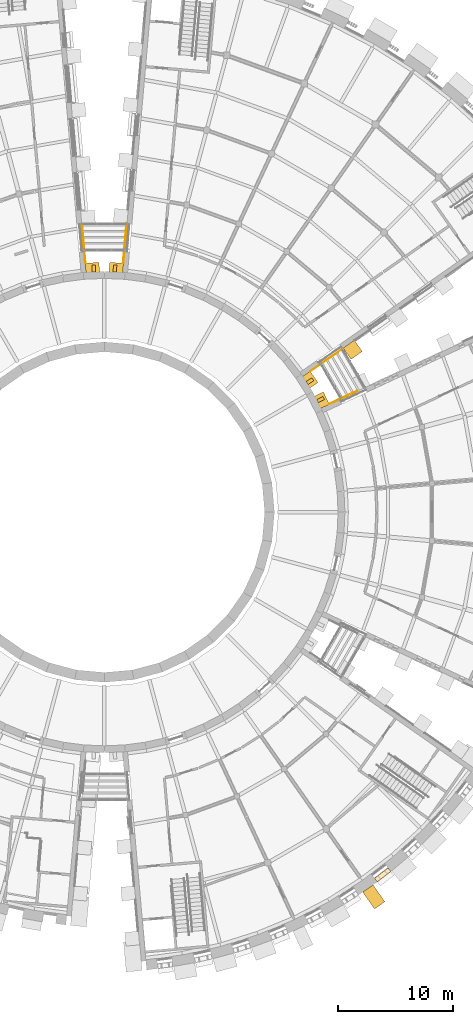
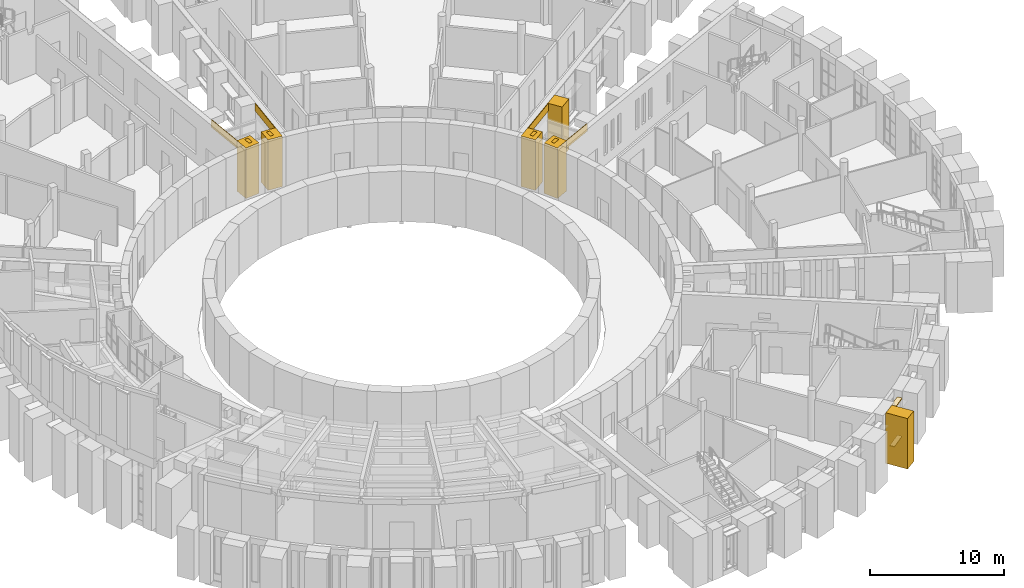
# One storey, part 57 of 66: 16 coverings.
"""IFC4 building model written with IfcOpenShell, lengths in metres."""

from ifc_helpers import new_model, si_unit, direction, frame, origin, origin_2d, place, context, subcontext, project, spatial, polyline, rectangle, outline, extrude, material, layer, layer_set, type_object, element, save


model = new_model("IFC4")

# Units and contexts
model_context = context("Model", 3, precision=1e-05, world=origin(), true_north=direction((0.0, 1.0)))
body_context = subcontext(model_context, "Body", "Model", "MODEL_VIEW")
ifc_project = project(units=[si_unit("LENGTHUNIT", "METRE"), si_unit("AREAUNIT", "SQUARE_METRE"), si_unit("VOLUMEUNIT", "CUBIC_METRE"), si_unit("PLANEANGLEUNIT", "RADIAN"), si_unit("MASSUNIT", "GRAM", prefix="KILO")], contexts=[model_context])

# Site, building, storey
site_placement = place(None, origin())
site = spatial("IfcSite", under=ifc_project, at=site_placement, CompositionType="ELEMENT")
building_placement = place(site_placement, origin())
building = spatial("IfcBuilding", under=site, at=building_placement, Name="Volute Hill Aquarium", CompositionType="ELEMENT")
storey_placement = place(building_placement, frame((0.0, 0.0, 4.60009765625)))
storey = spatial("IfcBuildingStorey", under=building, at=storey_placement, Name="L02", CompositionType="ELEMENT", Elevation=4.60009765625)

# Coverings
ifc_material_1 = material(Name="Precast pale concrete C40/50", Category="concrete")
covering_type_1 = type_object("IfcCoveringType", Name="Drum pier fin 300x600", PredefinedType="CLADDING", material=ifc_material_1)
for number, where, z_axis, x_axis, name in (
    (1, (18.8759765625, 9.826171875, -0.000244140625), (0.0, 0.0, 1.0), (-0.461748613235, 0.887010833178, 0.0), "Drum pier fin DF 6 L02"),
    (2, (17.947509765625, 11.433837890625, -0.000244140625), (0.0, 0.0, 1.0), (-0.537299608347, 0.843391445813, 0.0), "Drum pier fin DF 7 L02"),
    (3, (0.92822265625, 21.260009765625, -0.000244140625), (0.0, 0.0, 1.0), (-0.999048221582, 0.043619387365, 0.0), "Drum pier fin DF 18 L02"),
    (4, (-0.92822265625, 21.260009765625, -0.000244140625), (0.0, 0.0, 1.0), (-0.999048221582, -0.043619387365, 0.0), "Drum pier fin DF 19 L02"),
):
    element("IfcCovering", number, at=place(storey_placement, frame(where, z_axis=z_axis, x_axis=x_axis)), inside=storey, type_object=covering_type_1, Name=name, PredefinedType="CLADDING", context=body_context, shape_type="SweptSolid", body=[
        extrude(rectangle(XDim=0.300048828125, YDim=0.60009765625, at=origin_2d()), origin(), (0.0, 0.0, 1.0), 4.60009765625),
    ])
ifc_material_2 = material(Name="Precast concrete C40/50", Category="concrete")
covering_type_2 = type_object("IfcCoveringType", Name="End wall precast fin C40/50 1200x1200", PredefinedType="CLADDING", material=ifc_material_2)
for number, where, z_axis, x_axis, name in (
    (5, (18.837890625, 9.694580078125, -0.000244140625), (0.0, 0.0, 1.0), (0.906308670387, 0.422616367385, 0.0), "End wall fin EWF S4B L02 1"),
    (6, (17.814697265625, 11.466796875, -0.000244140625), (0.0, 0.0, 1.0), (0.819153286217, 0.573574662691, 0.0), "End wall fin EWF S5A L02 1"),
    (7, (21.677734375, 14.171875, -0.000244140625), (0.0, 0.0, 1.0), (0.819153286217, 0.573574662691, 0.0), "End wall fin EWF S5A L02 2"),
    (8, (1.023193359375, 21.161376953125, -0.000244140625), (0.0, 0.0, 1.0), (0.087153486035, 0.996194895526, 0.0), "End wall fin EWF S5B L02 1"),
    (9, (-1.023193359375, 21.161376953125, -0.000244140625), (0.0, 0.0, 1.0), (-0.08715511842, 0.996194752713, 0.0), "End wall fin EWF S6A L02 1"),
):
    element("IfcCovering", number, at=place(storey_placement, frame(where, z_axis=z_axis, x_axis=x_axis)), inside=storey, type_object=covering_type_2, Name=name, PredefinedType="CLADDING", context=body_context, shape_type="SweptSolid", body=[
        extrude(rectangle(XDim=1.199951171875, YDim=1.199951171875, at=origin_2d()), origin(), (0.0, 0.0, 1.0), 4.60009765625),
    ])
ifc_material_3 = material(Name="Precast concrete C40/50", Category="concrete")
ifc_layer = layer(ifc_material_3, 0.050048828125)
ifc_layer_set = layer_set([ifc_layer], Name="End wall precast infill panel C40/50 50")
covering_type_3 = type_object("IfcCoveringType", Name="End wall precast infill panel C40/50 50", PredefinedType="CLADDING", material=ifc_layer_set)
covering_1_placement = place(storey_placement, frame((19.63525390625, 9.404296875, 3.89990234375), z_axis=(0.422650101756, -0.906292939113, 0.0), x_axis=(0.906292939113, 0.422650101756, 0.0)))
element("IfcCovering", 10, at=covering_1_placement, inside=storey, type_object=covering_type_3, Name="End wall panel EWP S4B L02 1", PredefinedType="CLADDING", context=body_context, shape_type="SweptSolid", body=[
    extrude(outline(polyline([(0.0, 0.0), (2.7258945510421317, 0.0), (2.7258945510421317, 0.699951171875), (0.0, 0.699951171875), (0.0, 0.0)])), origin(), (0.0, 0.0, -1.0), 0.050048828125),
])
covering_2_placement = place(storey_placement, frame((17.99072265625, 12.261474609375, 3.89990234375), z_axis=(0.573560206306, -0.819163408449, 0.0), x_axis=(0.819163408449, 0.573560206306, 0.0)))
element("IfcCovering", 11, at=covering_2_placement, inside=storey, type_object=covering_type_3, Name="End wall panel EWP S5A L02 1", PredefinedType="CLADDING", context=body_context, shape_type="SweptSolid", body=[
    extrude(outline(polyline([(0.0, 0.0), (3.5159370199129762, 0.0), (3.5159370199129762, 0.6999511718750001), (0.0, 0.6999511718750001), (0.0, 0.0)])), origin(), (0.0, 0.0, -1.0), 0.050048828125),
])
covering_3_placement = place(storey_placement, frame((1.67333984375, 21.706787109375, 3.89990234375), z_axis=(0.996195902867, -0.087141971011, 0.0), x_axis=(0.087141971011, 0.996195902867, 0.0)))
element("IfcCovering", 12, at=covering_3_placement, inside=storey, type_object=covering_type_3, Name="End wall panel EWP S5B L02 1", PredefinedType="CLADDING", context=body_context, shape_type="SweptSolid", body=[
    extrude(outline(polyline([(0.0, 0.0), (3.516060984386417, 0.0), (3.516060984386417, 0.699951171875), (0.0, 0.699951171875), (0.0, 0.0)])), origin(), (0.0, 0.0, -1.0), 0.050048828125),
])
covering_4_placement = place(storey_placement, frame((-1.62353515625, 21.711181640625, 3.89990234375), z_axis=(0.996199073334, 0.087105719032, 0.0), x_axis=(-0.087105719032, 0.996199073334, 0.0)))
element("IfcCovering", 13, at=covering_4_placement, inside=storey, type_object=covering_type_3, Name="End wall panel EWP S6A L02 1", PredefinedType="CLADDING", context=body_context, shape_type="SweptSolid", body=[
    extrude(outline(polyline([(0.0, 0.0), (3.3633698596867574, 0.0), (3.3633698596867574, 0.6999511718750001), (0.0, 0.6999511718750001), (0.0, 0.0)])), origin(), (0.0, 0.0, -1.0), 0.050048828125),
])
ifc_material_4 = material(Name="Precast concrete C40/50", Category="concrete")
covering_type_4 = type_object("IfcCoveringType", Name="Projecting pier precast concrete C40/50 1100x1800", PredefinedType="CLADDING", material=ifc_material_4)
covering_5_placement = place(storey_placement, frame((23.5205078125, -33.590576171875, -0.000244140625), z_axis=(0.0, 0.0, 1.0), x_axis=(0.819152044289, 0.573576436351, 0.0)))
element("IfcCovering", 14, at=covering_5_placement, inside=storey, type_object=covering_type_4, Name="Projecting pier PP S3 L02 6", PredefinedType="CLADDING", context=body_context, shape_type="SweptSolid", body=[
    extrude(rectangle(XDim=1.10009765625, YDim=1.800048828125, at=origin_2d()), origin(), (0.0, 0.0, 1.0), 4.60009765625),
])
ifc_material_5 = material(Name="Timber, thermally modified ash", Category="wood")
covering_type_5 = type_object("IfcCoveringType", Name="Timber louvre fin rail 400x80", PredefinedType="CLADDING", material=ifc_material_5)
for number, where, z_axis, x_axis, name in (
    (15, (24.297119140625, -31.66455078125, 0.449951171875), (0.0, 0.0, 1.0), (0.793365104798, 0.608746096898, 0.0), "Timber louvre fin rail S3 L02 7.1"),
    (16, (24.297119140625, -31.66455078125, 3.919921875), (0.0, 0.0, 1.0), (0.793365104798, 0.608746096898, 0.0), "Timber louvre fin rail S3 L02 7.2"),
):
    element("IfcCovering", number, at=place(storey_placement, frame(where, z_axis=z_axis, x_axis=x_axis)), inside=storey, type_object=covering_type_5, Name=name, PredefinedType="CLADDING", context=body_context, shape_type="SweptSolid", body=[
        extrude(rectangle(XDim=1.4892578125, YDim=0.39990234375, at=origin_2d()), origin(), (0.0, 0.0, 1.0), 0.080078125),
    ])

save(model, "model.ifc")
